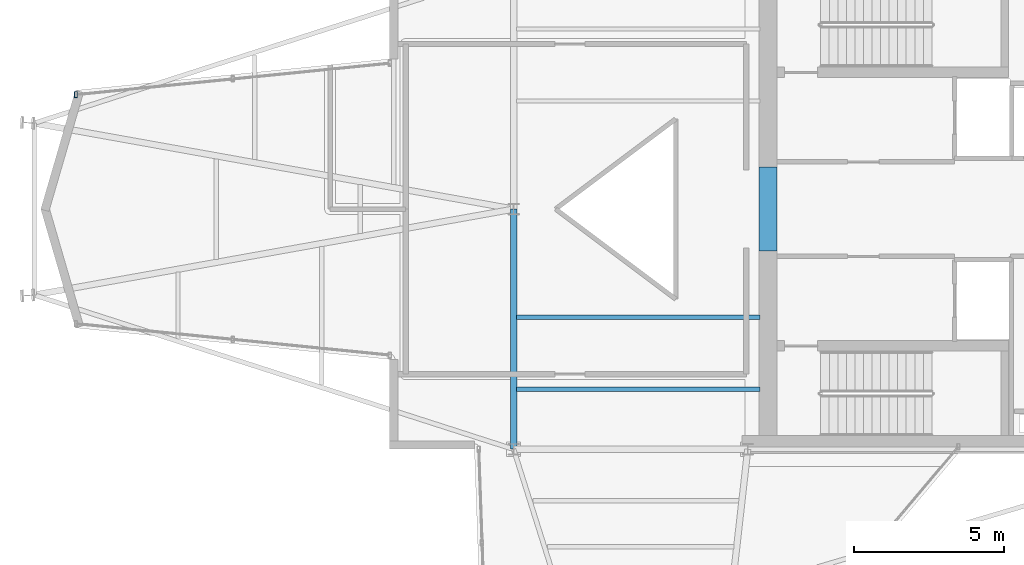
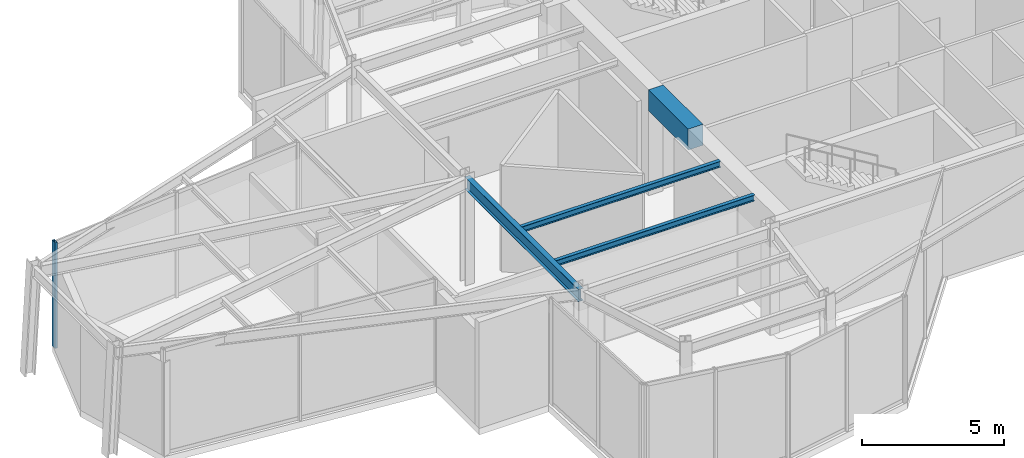
# One storey, part 4 of 15: 4 beams, 1 member, 1 element without a shape of its own.
"""IFC4 building model written with IfcOpenShell, lengths in metres."""

from ifc_helpers import new_model, si_unit, direction, frame, origin, origin_2d, place, context, subcontext, project, spatial, rectangle, hollow_rectangle, i_section, extrude, material, layer, layer_set, material_profile, profile_set, type_object, element, aggregate, save


model = new_model("IFC4")

# Units and contexts
model_context = context("Model", 3, precision=1e-05, world=origin(), true_north=direction((0.0, 1.0)))
body_context = subcontext(model_context, "Body", "Model", "MODEL_VIEW")
ifc_project = project(units=[si_unit("LENGTHUNIT", "METRE"), si_unit("AREAUNIT", "SQUARE_METRE"), si_unit("VOLUMEUNIT", "CUBIC_METRE"), si_unit("PLANEANGLEUNIT", "RADIAN"), si_unit("MASSUNIT", "GRAM", prefix="KILO")], contexts=[model_context])

# Site, building, storey
site_placement = place(None, origin())
site = spatial("IfcSite", under=ifc_project, at=site_placement, CompositionType="ELEMENT")
building_placement = place(site_placement, origin())
building = spatial("IfcBuilding", under=site, at=building_placement, Name="Veymaron Broadcast Tower", CompositionType="ELEMENT")
storey_placement = place(building_placement, frame((0.0, 0.0, 262.050048828125)))
storey = spatial("IfcBuildingStorey", under=building, at=storey_placement, Name="L61", CompositionType="ELEMENT", Elevation=262.050048828125)

# Beams
ifc_material_1 = material(Name="Concrete C60/75", Category="concrete")
ifc_material_profile_1 = material_profile(ifc_material_1, rectangle(XDim=0.60009765625, YDim=0.89990234375, at=origin_2d()), Name="RC600X900")
ifc_profile_set_1 = profile_set([ifc_material_profile_1], Name="Concrete C60/75")
beam_type_1 = type_object("IfcBeamType", Name="BM-CB2", PredefinedType="LINTEL", material=ifc_profile_set_1)
beam_1_placement = place(storey_placement, frame((39.679931640625, 22.60009765625, 4.10986328125), z_axis=(0.0, 1.0, 0.0), x_axis=(-1.0, 0.0, 0.0)))
element("IfcBeam", 1, at=beam_1_placement, inside=storey, type_object=beam_type_1, Name="L61 Core Wall west coupling beam", PredefinedType="LINTEL", context=body_context, shape_type="SweptSolid", body=[
    extrude(rectangle(XDim=0.60009765625, YDim=0.89990234375, at=origin_2d()), origin(), (0.0, 0.0, 1.0), 2.7998046875),
])
ifc_material_2 = material(Name="Structural steel ASTM A992 Gr 50", Category="steel")
ifc_material_profile_2 = material_profile(ifc_material_2, i_section(OverallWidth=0.208984375, OverallDepth=0.528076171875, WebThickness=0.009521484375, FlangeThickness=0.01318359375, at=origin_2d()), Name="W530X82")
ifc_profile_set_2 = profile_set([ifc_material_profile_2], Name="Structural steel ASTM A992 Gr 50")
beam_type_2 = type_object("IfcBeamType", Name="BM-FG4", PredefinedType="BEAM", material=ifc_profile_set_2)
beam_2_placement = place(storey_placement, frame((31.199951171875, 16.0, 4.2958984375), z_axis=(0.0, 1.0, 0.0), x_axis=(-1.0, 0.0, 0.0)))
element("IfcBeam", 2, at=beam_2_placement, inside=storey, type_object=beam_type_2, Name="L61 primary structural floor girder", PredefinedType="BEAM", context=body_context, shape_type="SweptSolid", body=[
    extrude(i_section(OverallWidth=0.208984375, OverallDepth=0.528076171875, WebThickness=0.009521484375, FlangeThickness=0.01318359375, at=origin_2d()), origin(), (0.0, 0.0, 1.0), 8.0),
])
ifc_material_profile_3 = material_profile(ifc_material_2, i_section(OverallWidth=0.14599609375, OverallDepth=0.258056640625, WebThickness=0.006103515625, FlangeThickness=0.009033203125, at=origin_2d()), Name="W250X33")
ifc_profile_set_3 = profile_set([ifc_material_profile_3], Name="Structural steel ASTM A992 Gr 50")
beam_type_3 = type_object("IfcBeamType", Name="BM-JS4", PredefinedType="JOIST", material=ifc_profile_set_3)
for number, where, z_axis, x_axis, name in (
    (3, (31.300048828125, 18.0, 4.430908203125), (1.0, 0.0, 0.0), (0.0, 1.0, 0.0), "L61 Hub secondary joist 1"),
    (4, (31.300048828125, 20.39990234375, 4.430908203125), (1.0, 0.0, 0.0), (0.0, 1.0, 0.0), "L61 Hub secondary joist 2"),
):
    element("IfcBeam", number, at=place(storey_placement, frame(where, z_axis=z_axis, x_axis=x_axis)), inside=storey, type_object=beam_type_3, Name=name, PredefinedType="JOIST", context=body_context, shape_type="SweptSolid", body=[
        extrude(i_section(OverallWidth=0.14599609375, OverallDepth=0.258056640625, WebThickness=0.006103515625, FlangeThickness=0.009033203125, at=origin_2d()), origin(), (0.0, 0.0, 1.0), 8.099853515625),
    ])

# Curtain wall, member
ifc_material_3 = material(Name="Anodised aluminium AA 6063-T6 and laminated low-E dark glass", Category="aluminium")
ifc_layer = layer(ifc_material_3, 0.179931640625)
ifc_layer_set = layer_set([ifc_layer], Name="Anodised aluminium AA 6063-T6 and laminated low-E dark glass")
curtain_wall_type = type_object("IfcCurtainWallType", Name="CW-SYS-04", PredefinedType="NOTDEFINED", material=ifc_layer_set)
curtain_wall_placement = place(storey_placement, origin())
curtain_wall = element("IfcCurtainWall", 5, at=curtain_wall_placement, inside=storey, type_object=curtain_wall_type, Name="L61 dark-glass curtain wall CW-L61-E11-1", PredefinedType="NOTDEFINED")
ifc_material_4 = material(Name="Anodised aluminium AA 6063-T6", Category="aluminium")
ifc_material_profile_4 = material_profile(ifc_material_4, hollow_rectangle(XDim=0.10009765625, YDim=0.199951171875, WallThickness=0.010009765625, at=origin_2d()), Name="RHS200X100X10")
ifc_profile_set_4 = profile_set([ifc_material_profile_4], Name="Anodised aluminium AA 6063-T6")
member_type = type_object("IfcMemberType", Name="CW-MUL-01", PredefinedType="MULLION", material=ifc_profile_set_4)
member_placement = place(storey_placement, frame((16.614013671875, 27.81689453125, 0.0), z_axis=(0.0, 0.0, 1.0), x_axis=(1.0, 0.0, 0.0)))
member = element("IfcMember", 6, at=member_placement, type_object=member_type, Name="CW-L61-E11-1 mullion 2", PredefinedType="MULLION", context=body_context, shape_type="SweptSolid", body=[
    extrude(hollow_rectangle(XDim=0.10009765625, YDim=0.199951171875, WallThickness=0.010009765625, at=origin_2d()), origin(), (0.0, 0.0, 1.0), 4.56005859375),
])
aggregate(curtain_wall, [member])

save(model, "model.ifc")
